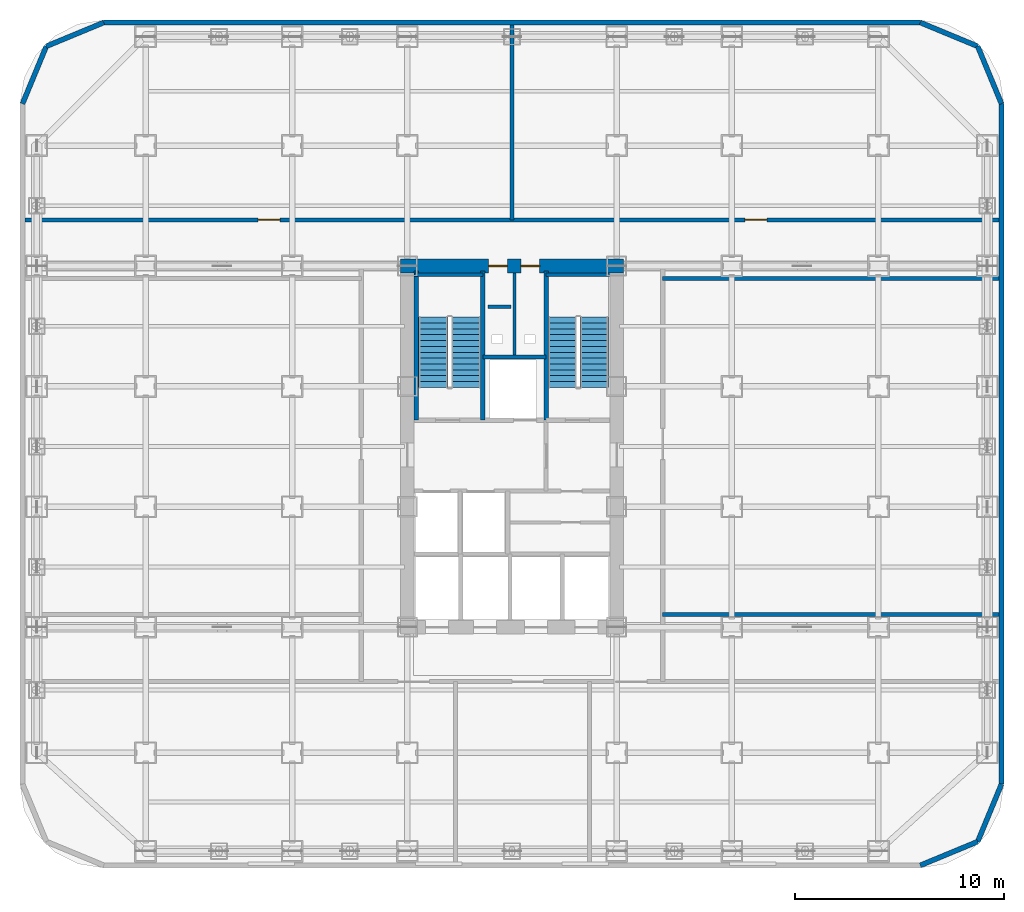
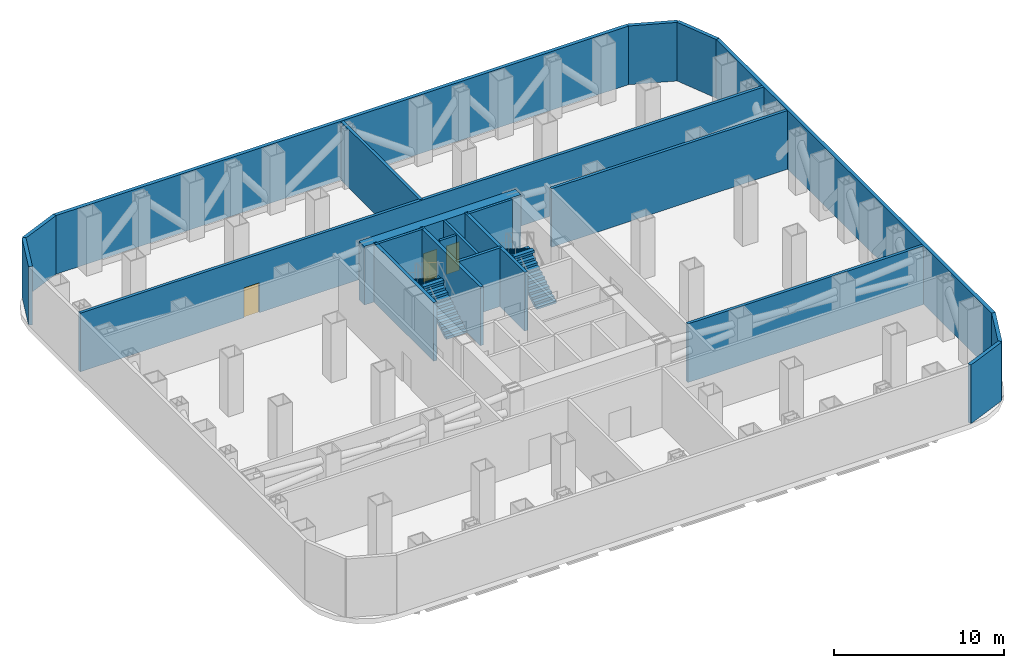
# One storey, part 9 of 10: 21 walls, 4 doors, 4 stair flights, 4 openings, 2 elements without a shape of their own.
"""IFC4 building model written with IfcOpenShell, lengths in metres."""

from ifc_helpers import new_model, si_unit, direction, frame, frame_2d, origin, place, context, subcontext, project, spatial, polyline, rectangle, outline, extrude, material, layer, layer_set, type_object, element, fill, aggregate, save


model = new_model("IFC4")

# Units and contexts
model_context = context("Model", 3, precision=1e-05, world=origin(), true_north=direction((0.0, 1.0)))
body_context = subcontext(model_context, "Body", "Model", "MODEL_VIEW")
ifc_project = project(units=[si_unit("LENGTHUNIT", "METRE"), si_unit("AREAUNIT", "SQUARE_METRE"), si_unit("VOLUMEUNIT", "CUBIC_METRE"), si_unit("PLANEANGLEUNIT", "RADIAN"), si_unit("MASSUNIT", "GRAM", prefix="KILO")], contexts=[model_context])

# Site, building, storey
site_placement = place(None, origin())
site = spatial("IfcSite", under=ifc_project, at=site_placement, CompositionType="ELEMENT")
building_placement = place(site_placement, origin())
building = spatial("IfcBuilding", under=site, at=building_placement, Name="Kolveth Station Tower", CompositionType="ELEMENT")
storey_placement = place(building_placement, frame((0.0, 0.0, 76.5)))
storey = spatial("IfcBuildingStorey", under=building, at=storey_placement, Name="L20", CompositionType="ELEMENT", Elevation=76.5)

# Wall, openings, doors
ifc_material_1 = material(Name="Concrete C60/75", Category="concrete")
ifc_layer_1 = layer(ifc_material_1, 0.64990234375)
ifc_layer_set_1 = layer_set([ifc_layer_1], Name="Concrete C60/75")
wall_type_1 = type_object("IfcWallType", Name="Wall_CW-650", PredefinedType="SHEAR", material=ifc_layer_set_1)
wall_1_placement = place(storey_placement, frame((18.175048828125, 28.75, 0.0), z_axis=(0.0, 0.0, 1.0), x_axis=(1.0, 0.0, 0.0)))
wall_1 = element("IfcWall", 1, at=wall_1_placement, inside=storey, type_object=wall_type_1, Name="L20 Core RC Shear Wall N", PredefinedType="SHEAR", context=body_context, shape_type="SweptSolid", body=[
    extrude(rectangle(XDim=10.64990234375, YDim=0.64990234375, at=frame_2d((5.324951171875, 0.0))), origin(), (0.0, 0.0, 1.0), 4.219970703125),
])
opening_1_placement = place(wall_1_placement, frame((4.205078125, 0.0, 0.0)))
opening_1 = element("IfcOpeningElement", 2, at=opening_1_placement, cuts=wall_1, Name="Opening RD1", PredefinedType="OPENING", context=body_context, shape_type="SweptSolid", body=[
    extrude(rectangle(XDim=0.89990234375, YDim=2.050048828125, at=frame_2d((0.449951171875, 1.02490234375))), frame((0.0, 0.3349609375, 0.0), z_axis=(0.0, -1.0, 0.0), x_axis=(1.0, 0.0, 0.0)), (0.0, 0.0, 1.0), 0.669921875),
])
opening_2_placement = place(wall_1_placement, frame((5.7451171875, 0.0, 0.0)))
opening_2 = element("IfcOpeningElement", 3, at=opening_2_placement, cuts=wall_1, Name="Opening RD1", PredefinedType="OPENING", context=body_context, shape_type="SweptSolid", body=[
    extrude(rectangle(XDim=0.89990234375, YDim=2.050048828125, at=frame_2d((0.449951171875, 1.02490234375))), frame((0.0, 0.3349609375, 0.0), z_axis=(0.0, -1.0, 0.0), x_axis=(1.0, 0.0, 0.0)), (0.0, 0.0, 1.0), 0.669921875),
])
ifc_material_2 = material(Name="Fire-rated Steel S355 riser access leaf", Category="steel")
door_type_1 = type_object("IfcDoorType", Name="Door_RD1", OperationType="NOTDEFINED", PredefinedType="DOOR", material=ifc_material_2)
door_1_placement = place(opening_1_placement, origin())
door_1 = element("IfcDoor", 4, at=door_1_placement, inside=storey, type_object=door_type_1, Name="L20 Electrical Riser Access Door", OperationType="SINGLE_SWING_RIGHT", OverallHeight=2.050048828125, OverallWidth=0.89990234375, PredefinedType="DOOR", context=body_context, shape_type="SweptSolid", body=[
    extrude(rectangle(XDim=0.89990234375, YDim=2.050048828125, at=frame_2d((0.449951171875, 1.02490234375))), frame((0.0, 0.02490234375, 0.0), z_axis=(0.0, -1.0, 0.0), x_axis=(1.0, 0.0, 0.0)), (0.0, 0.0, 1.0), 0.050048828125),
])
fill(opening_1, door_1)
door_2_placement = place(opening_2_placement, origin())
door_2 = element("IfcDoor", 5, at=door_2_placement, inside=storey, type_object=door_type_1, Name="L20 Smoke Duct Access Door", OperationType="SINGLE_SWING_LEFT", OverallHeight=2.050048828125, OverallWidth=0.89990234375, PredefinedType="DOOR", context=body_context, shape_type="SweptSolid", body=[
    extrude(rectangle(XDim=0.89990234375, YDim=2.050048828125, at=frame_2d((0.449951171875, 1.02490234375))), frame((0.0, 0.02490234375, 0.0), z_axis=(0.0, -1.0, 0.0), x_axis=(1.0, 0.0, 0.0)), (0.0, 0.0, 1.0), 0.050048828125),
])
fill(opening_2, door_2)

# Walls
ifc_material_3 = material(Name="Precast concrete C40/50", Category="concrete")
ifc_layer_2 = layer(ifc_material_3, 0.239990234375)
ifc_layer_set_2 = layer_set([ifc_layer_2], Name="Precast concrete C40/50")
wall_type_2 = type_object("IfcWallType", Name="Wall_EW-240", PredefinedType="SOLIDWALL", material=ifc_layer_set_2)
for number, where, z_axis, x_axis, name in (
    (6, (43.0, 0.1201171875, 0.0), (0.0, 0.0, 1.0), (0.923906620662, 0.382618029237, 0.0), "L20 Plant Perimeter Spandrel Wall 1"),
    (7, (45.74365234375, 1.25634765625, 0.0), (0.0, 0.0, 1.0), (0.382618029237, 0.923906620662, 0.0), "L20 Plant Perimeter Spandrel Wall 2"),
):
    element("IfcWall", number, at=place(storey_placement, frame(where, z_axis=z_axis, x_axis=x_axis)), inside=storey, type_object=wall_type_2, Name=name, PredefinedType="SOLIDWALL", context=body_context, shape_type="SweptSolid", body=[
        extrude(rectangle(XDim=2.9697265625, YDim=0.239990234375, at=frame_2d((1.48486328125, 0.0))), origin(), (0.0, 0.0, 1.0), 4.219970703125),
    ])
wall_2_placement = place(storey_placement, frame((46.8798828125, 4.0, 0.0), z_axis=(0.0, 0.0, 1.0), x_axis=(0.0, 1.0, 0.0)))
element("IfcWall", 8, at=wall_2_placement, inside=storey, type_object=wall_type_2, Name="L20 Plant Perimeter Spandrel Wall 3", PredefinedType="SOLIDWALL", context=body_context, shape_type="SweptSolid", body=[
    extrude(rectangle(XDim=32.5, YDim=0.239990234375, at=frame_2d((16.25, 0.0))), origin(), (0.0, 0.0, 1.0), 4.219970703125),
])
for number, where, z_axis, x_axis, name in (
    (9, (46.8798828125, 36.5, 0.0), (0.0, 0.0, 1.0), (-0.382618029237, 0.923906620662, 0.0), "L20 Plant Perimeter Spandrel Wall 4"),
    (10, (45.74365234375, 39.24365234375, 0.0), (0.0, 0.0, 1.0), (-0.923906620662, 0.382618029237, 0.0), "L20 Plant Perimeter Spandrel Wall 5"),
):
    element("IfcWall", number, at=place(storey_placement, frame(where, z_axis=z_axis, x_axis=x_axis)), inside=storey, type_object=wall_type_2, Name=name, PredefinedType="SOLIDWALL", context=body_context, shape_type="SweptSolid", body=[
        extrude(rectangle(XDim=2.9697265625, YDim=0.239990234375, at=frame_2d((1.48486328125, 0.0))), origin(), (0.0, 0.0, 1.0), 4.219970703125),
    ])
wall_3_placement = place(storey_placement, frame((43.0, 40.3798828125, 0.0), z_axis=(0.0, 0.0, 1.0), x_axis=(-1.0, 0.0, 0.0)))
element("IfcWall", 11, at=wall_3_placement, inside=storey, type_object=wall_type_2, Name="L20 Plant Perimeter Spandrel Wall 6", PredefinedType="SOLIDWALL", context=body_context, shape_type="SweptSolid", body=[
    extrude(rectangle(XDim=39.0, YDim=0.239990234375, at=frame_2d((19.5, 0.0))), origin(), (0.0, 0.0, 1.0), 4.219970703125),
])
for number, where, z_axis, x_axis, name in (
    (12, (4.0, 40.3798828125, 0.0), (0.0, 0.0, 1.0), (-0.923906620662, -0.382618029237, 0.0), "L20 Plant Perimeter Spandrel Wall 7"),
    (13, (1.25634765625, 39.24365234375, 0.0), (0.0, 0.0, 1.0), (-0.382618029237, -0.923906620662, 0.0), "L20 Plant Perimeter Spandrel Wall 8"),
):
    element("IfcWall", number, at=place(storey_placement, frame(where, z_axis=z_axis, x_axis=x_axis)), inside=storey, type_object=wall_type_2, Name=name, PredefinedType="SOLIDWALL", context=body_context, shape_type="SweptSolid", body=[
        extrude(rectangle(XDim=2.9697265625, YDim=0.239990234375, at=frame_2d((1.48486328125, 0.0))), origin(), (0.0, 0.0, 1.0), 4.219970703125),
    ])
ifc_material_4 = material(Name="Acoustic double-stud gypsum partition")
ifc_layer_3 = layer(ifc_material_4, 0.1650390625)
ifc_layer_set_3 = layer_set([ifc_layer_3], Name="Acoustic double-stud gypsum partition")
wall_type_3 = type_object("IfcWallType", Name="Wall_IW-165", PredefinedType="PARTITIONING", material=ifc_layer_set_3)
wall_4_placement = place(storey_placement, frame((18.8349609375, 28.3349609375, 0.0), z_axis=(0.0, 0.0, 1.0), x_axis=(1.0, 0.0, 0.0)))
element("IfcWall", 14, at=wall_4_placement, inside=storey, type_object=wall_type_3, Name="L20 Stair Shaft Wall WL-L20-ST1-N", PredefinedType="PARTITIONING", context=body_context, shape_type="SweptSolid", body=[
    extrude(rectangle(XDim=3.275146484375, YDim=0.1650390625, at=frame_2d((1.6376953125, 0.0))), origin(), (0.0, 0.0, 1.0), 4.219970703125),
])
wall_5_placement = place(storey_placement, frame((25.1298828125, 28.3349609375, 0.0), z_axis=(0.0, 0.0, 1.0), x_axis=(1.0, 0.0, 0.0)))
element("IfcWall", 15, at=wall_5_placement, inside=storey, type_object=wall_type_3, Name="L20 Stair Shaft Wall WL-L20-ST2-N", PredefinedType="PARTITIONING", context=body_context, shape_type="SweptSolid", body=[
    extrude(rectangle(XDim=3.03515625, YDim=0.1650390625, at=frame_2d((1.517578125, 0.0))), origin(), (0.0, 0.0, 1.0), 4.219970703125),
])
wall_6_placement = place(storey_placement, frame((23.6201171875, 24.39990234375, 0.0), z_axis=(0.0, 0.0, 1.0), x_axis=(0.0, 1.0, 0.0)))
element("IfcWall", 16, at=wall_6_placement, inside=storey, type_object=wall_type_3, Name="L20 Partition Wall WL-L20-RSR-M", PredefinedType="PARTITIONING", context=body_context, shape_type="SweptSolid", body=[
    extrude(rectangle(XDim=4.01513671875, YDim=0.1650390625, at=frame_2d((2.007568359375, 0.0))), origin(), (0.0, 0.0, 1.0), 4.219970703125),
])
wall_7_placement = place(storey_placement, frame((22.35009765625, 26.800048828125, 0.0), z_axis=(0.0, 0.0, 1.0), x_axis=(1.0, 0.0, 0.0)))
element("IfcWall", 17, at=wall_7_placement, inside=storey, type_object=wall_type_3, Name="L20 Acoustic Riser Dry-Lining Wall", PredefinedType="PARTITIONING", context=body_context, shape_type="SweptSolid", body=[
    extrude(rectangle(XDim=1.099853515625, YDim=0.1650390625, at=frame_2d((0.5498046875, 0.0))), origin(), (0.0, 0.0, 1.0), 4.219970703125),
])
ifc_material_5 = material(Name="Acoustic fire-rated gypsum blockwork", Category="masonry")
ifc_layer_4 = layer(ifc_material_5, 0.199951171875)
ifc_layer_set_4 = layer_set([ifc_layer_4], Name="Acoustic fire-rated gypsum blockwork")
wall_type_4 = type_object("IfcWallType", Name="Wall_IW-200", PredefinedType="PARTITIONING", material=ifc_layer_set_4)
wall_8_placement = place(storey_placement, frame((22.110107421875, 24.39990234375, 0.0), z_axis=(0.0, 0.0, 1.0), x_axis=(1.0, 0.0, 0.0)))
element("IfcWall", 18, at=wall_8_placement, inside=storey, type_object=wall_type_4, Name="L20 Partition Wall WL-L20-RSR-S", PredefinedType="PARTITIONING", context=body_context, shape_type="SweptSolid", body=[
    extrude(rectangle(XDim=3.019775390625, YDim=0.199951171875, at=frame_2d((1.509765625, 0.0))), origin(), (0.0, 0.0, 1.0), 4.219970703125),
])

# Wall, openings, doors
wall_9_placement = place(storey_placement, frame((0.25, 30.949951171875, 0.0), z_axis=(0.0, 0.0, 1.0), x_axis=(1.0, 0.0, 0.0)))
wall_9 = element("IfcWall", 19, at=wall_9_placement, inside=storey, type_object=wall_type_4, Name="L20 Partition Wall WL-L20-PR-N", PredefinedType="PARTITIONING", context=body_context, shape_type="SweptSolid", body=[
    extrude(rectangle(XDim=46.5, YDim=0.199951171875, at=frame_2d((23.25, 0.0))), origin(), (0.0, 0.0, 1.0), 4.219970703125),
])
opening_3_placement = place(wall_9_placement, frame((11.125, 0.0, 0.0)))
opening_3 = element("IfcOpeningElement", 20, at=opening_3_placement, cuts=wall_9, Name="Opening FD2", PredefinedType="OPENING", context=body_context, shape_type="SweptSolid", body=[
    extrude(rectangle(XDim=1.050048828125, YDim=2.14990234375, at=frame_2d((0.52490234375, 1.074951171875))), frame((0.0, 0.10986328125, 0.0), z_axis=(0.0, -1.0, 0.0), x_axis=(1.0, 0.0, 0.0)), (0.0, 0.0, 1.0), 0.219970703125),
])
opening_4_placement = place(wall_9_placement, frame((34.375, 0.0, 0.0)))
opening_4 = element("IfcOpeningElement", 21, at=opening_4_placement, cuts=wall_9, Name="Opening FD2", PredefinedType="OPENING", context=body_context, shape_type="SweptSolid", body=[
    extrude(rectangle(XDim=1.050048828125, YDim=2.14990234375, at=frame_2d((0.52490234375, 1.074951171875))), frame((0.0, 0.10986328125, 0.0), z_axis=(0.0, -1.0, 0.0), x_axis=(1.0, 0.0, 0.0)), (0.0, 0.0, 1.0), 0.219970703125),
])
ifc_material_6 = material(Name="Fire-rated Steel S355 leaf and frame", Category="steel")
door_type_2 = type_object("IfcDoorType", Name="Door_FD2", OperationType="NOTDEFINED", PredefinedType="DOOR", material=ifc_material_6)
door_3_placement = place(opening_3_placement, origin())
door_3 = element("IfcDoor", 22, at=door_3_placement, inside=storey, type_object=door_type_2, Name="L20 Smoke Extract Fan Plant Room Door", OperationType="SINGLE_SWING_LEFT", OverallHeight=2.14990234375, OverallWidth=1.050048828125, PredefinedType="DOOR", context=body_context, shape_type="SweptSolid", body=[
    extrude(rectangle(XDim=1.050048828125, YDim=2.14990234375, at=frame_2d((0.52490234375, 1.074951171875))), frame((0.0, 0.02490234375, 0.0), z_axis=(0.0, -1.0, 0.0), x_axis=(1.0, 0.0, 0.0)), (0.0, 0.0, 1.0), 0.050048828125),
])
fill(opening_3, door_3)
door_4_placement = place(opening_4_placement, origin())
door_4 = element("IfcDoor", 23, at=door_4_placement, inside=storey, type_object=door_type_2, Name="L20 Air Handling Plant Room Door", OperationType="SINGLE_SWING_RIGHT", OverallHeight=2.14990234375, OverallWidth=1.050048828125, PredefinedType="DOOR", context=body_context, shape_type="SweptSolid", body=[
    extrude(rectangle(XDim=1.050048828125, YDim=2.14990234375, at=frame_2d((0.52490234375, 1.074951171875))), frame((0.0, 0.02490234375, 0.0), z_axis=(0.0, -1.0, 0.0), x_axis=(1.0, 0.0, 0.0)), (0.0, 0.0, 1.0), 0.050048828125),
])
fill(opening_4, door_4)

# Walls
wall_10_placement = place(storey_placement, frame((23.5, 30.949951171875, 0.0), z_axis=(0.0, 0.0, 1.0), x_axis=(0.0, 1.0, 0.0)))
element("IfcWall", 24, at=wall_10_placement, inside=storey, type_object=wall_type_4, Name="L20 Partition Wall WL-L20-PN-P1", PredefinedType="PARTITIONING", context=body_context, shape_type="SweptSolid", body=[
    extrude(rectangle(XDim=9.300048828125, YDim=0.199951171875, at=frame_2d((4.64990234375, 0.0))), origin(), (0.0, 0.0, 1.0), 4.219970703125),
])
for number, where, z_axis, x_axis, name in (
    (25, (30.699951171875, 12.10009765625, 0.0), (0.0, 0.0, 1.0), (1.0, 0.0, 0.0), "L20 Partition Wall WL-L20-OG-ES"),
    (26, (30.699951171875, 28.14990234375, 0.0), (0.0, 0.0, 1.0), (1.0, 0.0, 0.0), "L20 Partition Wall WL-L20-OG-EN"),
):
    element("IfcWall", number, at=place(storey_placement, frame(where, z_axis=z_axis, x_axis=x_axis)), inside=storey, type_object=wall_type_4, Name=name, PredefinedType="PARTITIONING", context=body_context, shape_type="SweptSolid", body=[
        extrude(rectangle(XDim=16.050048828125, YDim=0.199951171875, at=frame_2d((8.02490234375, 0.0))), origin(), (0.0, 0.0, 1.0), 4.219970703125),
    ])
ifc_material_7 = material(Name="Concrete C40/50", Category="concrete")
ifc_layer_5 = layer(ifc_material_7, 0.219970703125)
ifc_layer_set_5 = layer_set([ifc_layer_5], Name="Concrete C40/50")
wall_type_5 = type_object("IfcWallType", Name="Wall_IW-220", PredefinedType="SOLIDWALL", material=ifc_layer_set_5)
for number, where, z_axis, x_axis, name in (
    (27, (18.929931640625, 21.389892578125, 0.0), (0.0, 0.0, 1.0), (0.0, 1.0, 0.0), "L20 Stair Shaft Wall WL-L20-ST1-W"),
    (28, (22.110107421875, 21.389892578125, 0.0), (0.0, 0.0, 1.0), (0.0, 1.0, 0.0), "L20 Stair Shaft Wall WL-L20-ST1-E"),
    (29, (25.1298828125, 21.389892578125, 0.0), (0.0, 0.0, 1.0), (0.0, 1.0, 0.0), "L20 Stair Shaft Wall WL-L20-ST2-W"),
):
    element("IfcWall", number, at=place(storey_placement, frame(where, z_axis=z_axis, x_axis=x_axis)), inside=storey, type_object=wall_type_5, Name=name, PredefinedType="SOLIDWALL", context=body_context, shape_type="SweptSolid", body=[
        extrude(rectangle(XDim=7.110107421875, YDim=0.219970703125, at=frame_2d((3.55517578125, 0.0))), origin(), (0.0, 0.0, 1.0), 4.219970703125),
    ])

# Stair, stair flights
stair_type_1 = type_object("IfcStairType", Name="Stair_ST1", PredefinedType="HALF_TURN_STAIR", material=ifc_material_7)
stair_1_placement = place(storey_placement, origin())
stair_1 = element("IfcStair", 30, at=stair_1_placement, inside=storey, type_object=stair_type_1, Name="L20 Tower Exit Stair ST1", PredefinedType="HALF_TURN_STAIR")
ifc_layer_6 = layer(ifc_material_7, 0.179931640625)
ifc_layer_set_6 = layer_set([ifc_layer_6], Name="Concrete C40/50")
stair_flight_type_1 = type_object("IfcStairFlightType", Name="Flight_ST1", PredefinedType="STRAIGHT", material=ifc_layer_set_6)
stair_flight_1_placement = place(storey_placement, frame((21.300048828125, 22.949951171875, 0.0), z_axis=(0.0, 0.0, 1.0), x_axis=(0.0, 1.0, 0.0)))
stair_flight_1 = element("IfcStairFlight", 31, at=stair_flight_1_placement, type_object=stair_flight_type_1, Name="ST1 flight 1", NumberOfRisers=13, NumberOfTreads=12, PredefinedType="STRAIGHT", RiserHeight=0.173076923, TreadLength=0.28, context=body_context, shape_type="SweptSolid", body=[
    extrude(outline(polyline([(0.0, 0.0), (0.0, 0.173095703125), (0.280029296875, 0.173095703125), (0.280029296875, 0.34619140625), (0.56005859375, 0.34619140625), (0.56005859375, 0.519287109375), (0.840087890625, 0.519287109375), (0.840087890625, 0.6923828125), (1.1201171875, 0.6923828125), (1.1201171875, 0.865478515625), (1.39990234375, 0.865478515625), (1.39990234375, 1.03857421875), (1.679931640625, 1.03857421875), (1.679931640625, 1.21142578125), (1.9599609375, 1.21142578125), (1.9599609375, 1.384521484375), (2.239990234375, 1.384521484375), (2.239990234375, 1.5576171875), (2.52001953125, 1.5576171875), (2.52001953125, 1.730712890625), (2.800048828125, 1.730712890625), (2.800048828125, 1.90380859375), (3.080078125, 1.90380859375), (3.080078125, 2.076904296875), (3.360107421875, 2.076904296875), (3.360107421875, 2.25), (3.360107421875, 1.900634765625), (0.28515625, 0.0), (0.0, 0.0)])), frame((0.0, 0.699951171875, 0.0), z_axis=(0.0, -1.0, 0.0), x_axis=(1.0, 0.0, 0.0)), (0.0, 0.0, 1.0), 1.39990234375),
])
stair_flight_2_placement = place(storey_placement, frame((19.739990234375, 26.31005859375, 2.25), z_axis=(0.0, 0.0, 1.0), x_axis=(0.0, -1.0, 0.0)))
stair_flight_2 = element("IfcStairFlight", 32, at=stair_flight_2_placement, type_object=stair_flight_type_1, Name="ST1 flight 2", NumberOfRisers=13, NumberOfTreads=12, PredefinedType="STRAIGHT", RiserHeight=0.173076923, TreadLength=0.28, context=body_context, shape_type="SweptSolid", body=[
    extrude(outline(polyline([(0.0, 0.0), (0.0, 0.173095703125), (0.280029296875, 0.173095703125), (0.280029296875, 0.34619140625), (0.56005859375, 0.34619140625), (0.56005859375, 0.519287109375), (0.840087890625, 0.519287109375), (0.840087890625, 0.6923828125), (1.1201171875, 0.6923828125), (1.1201171875, 0.865478515625), (1.39990234375, 0.865478515625), (1.39990234375, 1.03857421875), (1.679931640625, 1.03857421875), (1.679931640625, 1.21142578125), (1.9599609375, 1.21142578125), (1.9599609375, 1.384521484375), (2.239990234375, 1.384521484375), (2.239990234375, 1.5576171875), (2.52001953125, 1.5576171875), (2.52001953125, 1.730712890625), (2.800048828125, 1.730712890625), (2.800048828125, 1.90380859375), (3.080078125, 1.90380859375), (3.080078125, 2.076904296875), (3.360107421875, 2.076904296875), (3.360107421875, 2.25), (3.360107421875, 1.900634765625), (0.28515625, 0.0), (0.0, 0.0)])), frame((0.0, 0.699951171875, 0.0), z_axis=(0.0, -1.0, 0.0), x_axis=(1.0, 0.0, 0.0)), (0.0, 0.0, 1.0), 1.39990234375),
])
aggregate(stair_1, [stair_flight_1, stair_flight_2])

stair_type_2 = type_object("IfcStairType", Name="Stair_ST2", PredefinedType="HALF_TURN_STAIR", material=ifc_material_7)
stair_2_placement = place(storey_placement, origin())
stair_2 = element("IfcStair", 33, at=stair_2_placement, inside=storey, type_object=stair_type_2, Name="L20 Tower Exit Stair ST2", PredefinedType="HALF_TURN_STAIR")
ifc_layer_7 = layer(ifc_material_7, 0.179931640625)
ifc_layer_set_7 = layer_set([ifc_layer_7], Name="Concrete C40/50")
stair_flight_type_2 = type_object("IfcStairFlightType", Name="Flight_ST2", PredefinedType="STRAIGHT", material=ifc_layer_set_7)
stair_flight_3_placement = place(storey_placement, frame((27.425048828125, 22.949951171875, 0.0), z_axis=(0.0, 0.0, 1.0), x_axis=(0.0, 1.0, 0.0)))
stair_flight_3 = element("IfcStairFlight", 34, at=stair_flight_3_placement, type_object=stair_flight_type_2, Name="ST2 flight 1", NumberOfRisers=13, NumberOfTreads=12, PredefinedType="STRAIGHT", RiserHeight=0.173076923, TreadLength=0.28, context=body_context, shape_type="SweptSolid", body=[
    extrude(outline(polyline([(0.0, 0.0), (0.0, 0.173095703125), (0.280029296875, 0.173095703125), (0.280029296875, 0.34619140625), (0.56005859375, 0.34619140625), (0.56005859375, 0.519287109375), (0.840087890625, 0.519287109375), (0.840087890625, 0.6923828125), (1.1201171875, 0.6923828125), (1.1201171875, 0.865478515625), (1.39990234375, 0.865478515625), (1.39990234375, 1.03857421875), (1.679931640625, 1.03857421875), (1.679931640625, 1.21142578125), (1.9599609375, 1.21142578125), (1.9599609375, 1.384521484375), (2.239990234375, 1.384521484375), (2.239990234375, 1.5576171875), (2.52001953125, 1.5576171875), (2.52001953125, 1.730712890625), (2.800048828125, 1.730712890625), (2.800048828125, 1.90380859375), (3.080078125, 1.90380859375), (3.080078125, 2.076904296875), (3.360107421875, 2.076904296875), (3.360107421875, 2.25), (3.360107421875, 1.900634765625), (0.28515625, 0.0), (0.0, 0.0)])), frame((0.0, 0.675048828125, 0.0), z_axis=(0.0, -1.0, 0.0), x_axis=(1.0, 0.0, 0.0)), (0.0, 0.0, 1.0), 1.35009765625),
])
stair_flight_4_placement = place(storey_placement, frame((25.9150390625, 26.31005859375, 2.25), z_axis=(0.0, 0.0, 1.0), x_axis=(0.0, -1.0, 0.0)))
stair_flight_4 = element("IfcStairFlight", 35, at=stair_flight_4_placement, type_object=stair_flight_type_2, Name="ST2 flight 2", NumberOfRisers=13, NumberOfTreads=12, PredefinedType="STRAIGHT", RiserHeight=0.173076923, TreadLength=0.28, context=body_context, shape_type="SweptSolid", body=[
    extrude(outline(polyline([(0.0, 0.0), (0.0, 0.173095703125), (0.280029296875, 0.173095703125), (0.280029296875, 0.34619140625), (0.56005859375, 0.34619140625), (0.56005859375, 0.519287109375), (0.840087890625, 0.519287109375), (0.840087890625, 0.6923828125), (1.1201171875, 0.6923828125), (1.1201171875, 0.865478515625), (1.39990234375, 0.865478515625), (1.39990234375, 1.03857421875), (1.679931640625, 1.03857421875), (1.679931640625, 1.21142578125), (1.9599609375, 1.21142578125), (1.9599609375, 1.384521484375), (2.239990234375, 1.384521484375), (2.239990234375, 1.5576171875), (2.52001953125, 1.5576171875), (2.52001953125, 1.730712890625), (2.800048828125, 1.730712890625), (2.800048828125, 1.90380859375), (3.080078125, 1.90380859375), (3.080078125, 2.076904296875), (3.360107421875, 2.076904296875), (3.360107421875, 2.25), (3.360107421875, 1.900634765625), (0.28515625, 0.0), (0.0, 0.0)])), frame((0.0, 0.675048828125, 0.0), z_axis=(0.0, -1.0, 0.0), x_axis=(1.0, 0.0, 0.0)), (0.0, 0.0, 1.0), 1.35009765625),
])
aggregate(stair_2, [stair_flight_3, stair_flight_4])

save(model, "model.ifc")
